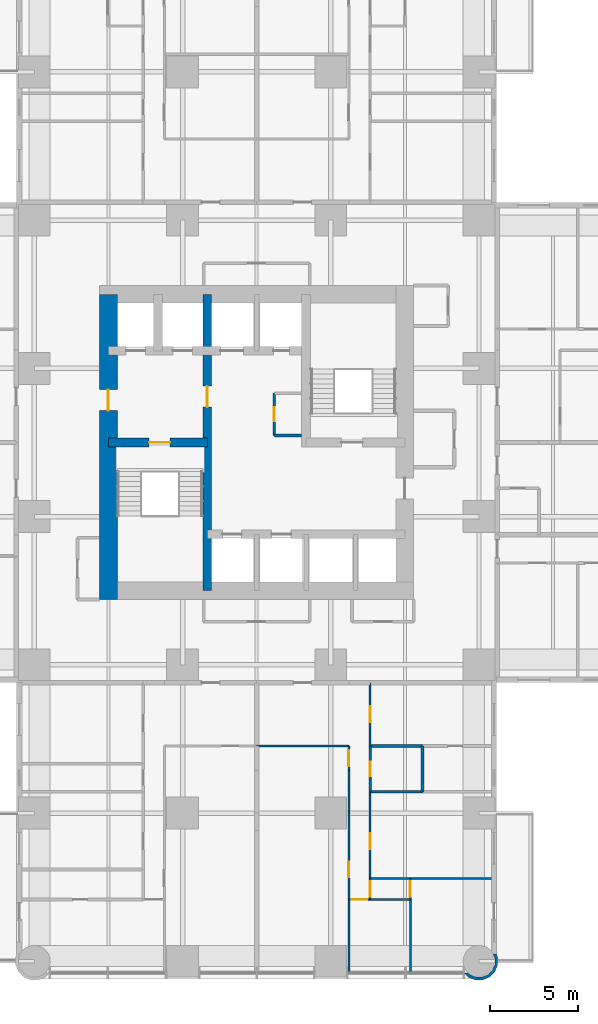
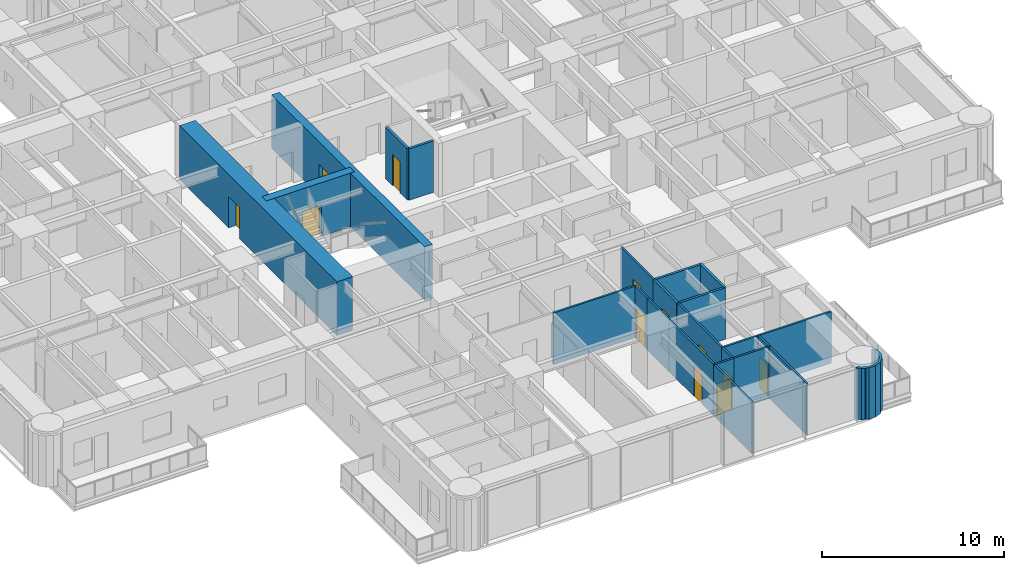
# One storey, part 9 of 17: 24 walls, 12 doors, 12 openings.
"""IFC4 building model written with IfcOpenShell, lengths in metres."""

from ifc_helpers import new_model, si_unit, direction, frame, frame_2d, origin, place, context, subcontext, project, spatial, polyline, rectangle, outline, extrude, material, layer, layer_set, type_object, element, fill, save


model = new_model("IFC4")

# Units and contexts
model_context = context("Model", 3, precision=1e-05, world=origin(), true_north=direction((0.0, 1.0)))
body_context = subcontext(model_context, "Body", "Model", "MODEL_VIEW")
ifc_project = project(units=[si_unit("LENGTHUNIT", "METRE"), si_unit("AREAUNIT", "SQUARE_METRE"), si_unit("VOLUMEUNIT", "CUBIC_METRE"), si_unit("PLANEANGLEUNIT", "RADIAN"), si_unit("MASSUNIT", "GRAM", prefix="KILO")], contexts=[model_context])

# Site, building, storey
site_placement = place(None, origin())
site = spatial("IfcSite", under=ifc_project, at=site_placement, CompositionType="ELEMENT")
building_placement = place(site_placement, origin())
building = spatial("IfcBuilding", under=site, at=building_placement, Name="Torre Alcanfor", CompositionType="ELEMENT")
storey_placement = place(building_placement, frame((0.0, 0.0, 52.5)))
storey = spatial("IfcBuildingStorey", under=building, at=storey_placement, Name="L12", CompositionType="ELEMENT", Elevation=52.5)

# Wall
ifc_material_1 = material(Name="Gypsum board on steel studs", Category="steel")
ifc_layer_1 = layer(ifc_material_1, 0.1201171875)
ifc_layer_set_1 = layer_set([ifc_layer_1], Name="Apartment partition 120")
wall_type_1 = type_object("IfcWallType", Name="Apartment partition 120", PredefinedType="PARTITIONING", material=ifc_layer_set_1)
wall_1_placement = place(storey_placement, frame((29.39990234375, 12.199951171875, 0.0), z_axis=(0.0, 0.0, 1.0), x_axis=(1.0, 0.0, 0.0)))
element("IfcWall", 1, at=wall_1_placement, inside=storey, type_object=wall_type_1, Name="Partition L12-S1-ZAG / L12-S1-LAUND", PredefinedType="PARTITIONING", context=body_context, shape_type="SweptSolid", body=[
    extrude(rectangle(XDim=5.22900390625, YDim=0.1201171875, at=frame_2d((2.614501953125, 0.0))), origin(), (0.0, 0.0, 1.0), 3.449951171875),
])

# Wall, opening, door
wall_2_placement = place(storey_placement, frame((34.62890625, 10.800048828125, 0.0), z_axis=(0.0, 0.0, 1.0), x_axis=(0.0, 1.0, 0.0)))
wall_2 = element("IfcWall", 2, at=wall_2_placement, inside=storey, type_object=wall_type_1, Name="Partition L12-S1-LAUND / L12-S1-HALL", PredefinedType="PARTITIONING", context=body_context, shape_type="SweptSolid", body=[
    extrude(rectangle(XDim=1.39990234375, YDim=0.1201171875, at=frame_2d((0.699951171875, 0.0))), origin(), (0.0, 0.0, 1.0), 3.449951171875),
])
opening_1_placement = place(wall_2_placement, frame((0.25, 0.0, 0.0)))
opening_1 = element("IfcOpeningElement", 3, at=opening_1_placement, cuts=wall_2, Name="Opening D-R1", PredefinedType="OPENING", context=body_context, shape_type="SweptSolid", body=[
    extrude(rectangle(XDim=0.89990234375, YDim=2.10009765625, at=frame_2d((0.449951171875, 1.050048828125))), frame((0.0, 0.070068359375, 0.0), z_axis=(0.0, -1.0, 0.0), x_axis=(1.0, 0.0, 0.0)), (0.0, 0.0, 1.0), 0.14013671875),
])
ifc_material_2 = material(Name="Timber", Category="wood")
door_type_1 = type_object("IfcDoorType", Name="Internal door 900x2100", OperationType="SINGLE_SWING_LEFT", PredefinedType="DOOR", material=ifc_material_2)
door_1_placement = place(opening_1_placement, origin())
door_1 = element("IfcDoor", 4, at=door_1_placement, inside=storey, type_object=door_type_1, Name="Door L12-S1 laund", OperationType="SINGLE_SWING_LEFT", OverallHeight=2.10009765625, OverallWidth=0.89990234375, PredefinedType="DOOR", context=body_context, shape_type="SweptSolid", body=[
    extrude(rectangle(XDim=0.89990234375, YDim=2.10009765625, at=frame_2d((0.449951171875, 1.050048828125))), frame((0.0, 0.02490234375, 0.0), z_axis=(0.0, -1.0, 0.0), x_axis=(1.0, 0.0, 0.0)), (0.0, 0.0, 1.0), 0.050048828125),
])
fill(opening_1, door_1)

# Wall
wall_3_placement = place(storey_placement, frame((34.62890625, 8.39990234375, 0.0), z_axis=(0.0, 0.0, 1.0), x_axis=(0.0, 1.0, 0.0)))
element("IfcWall", 5, at=wall_3_placement, inside=storey, type_object=wall_type_1, Name="Partition L12-S1-KITCHEN / L12-S1-HALL", PredefinedType="PARTITIONING", context=body_context, shape_type="SweptSolid", body=[
    extrude(rectangle(XDim=2.400146484375, YDim=0.1201171875, at=frame_2d((1.2001953125, 0.0))), origin(), (0.0, 0.0, 1.0), 3.449951171875),
])

# Wall, opening, door
wall_4_placement = place(storey_placement, frame((34.62890625, 3.5, 0.0), z_axis=(0.0, 0.0, 1.0), x_axis=(0.0, 1.0, 0.0)))
wall_4 = element("IfcWall", 6, at=wall_4_placement, inside=storey, type_object=wall_type_1, Name="Partition L12-S1-LIVING / L12-S1-HALL", PredefinedType="PARTITIONING", context=body_context, shape_type="SweptSolid", body=[
    extrude(rectangle(XDim=4.89990234375, YDim=0.1201171875, at=frame_2d((2.449951171875, 0.0))), origin(), (0.0, 0.0, 1.0), 3.449951171875),
])
opening_2_placement = place(wall_4_placement, frame((1.25, 0.0, 0.0)))
opening_2 = element("IfcOpeningElement", 7, at=opening_2_placement, cuts=wall_4, Name="Opening D-R1", PredefinedType="OPENING", context=body_context, shape_type="SweptSolid", body=[
    extrude(rectangle(XDim=0.89990234375, YDim=2.10009765625, at=frame_2d((0.449951171875, 1.050048828125))), frame((0.0, 0.070068359375, 0.0), z_axis=(0.0, -1.0, 0.0), x_axis=(1.0, 0.0, 0.0)), (0.0, 0.0, 1.0), 0.14013671875),
])
door_2_placement = place(opening_2_placement, origin())
door_2 = element("IfcDoor", 8, at=door_2_placement, inside=storey, type_object=door_type_1, Name="Door L12-S1 living", OperationType="SINGLE_SWING_RIGHT", OverallHeight=2.10009765625, OverallWidth=0.89990234375, PredefinedType="DOOR", context=body_context, shape_type="SweptSolid", body=[
    extrude(rectangle(XDim=0.89990234375, YDim=2.10009765625, at=frame_2d((0.449951171875, 1.050048828125))), frame((0.0, 0.02490234375, 0.0), z_axis=(0.0, -1.0, 0.0), x_axis=(1.0, 0.0, 0.0)), (0.0, 0.0, 1.0), 0.050048828125),
])
fill(opening_2, door_2)

# Wall
wall_5_placement = place(storey_placement, frame((34.62890625, -0.64990234375, 0.0), z_axis=(0.0, 0.0, 1.0), x_axis=(0.0, 1.0, 0.0)))
element("IfcWall", 9, at=wall_5_placement, inside=storey, type_object=wall_type_1, Name="Partition L12-S1-LIVING / L12-S1-BED2", PredefinedType="PARTITIONING", context=body_context, shape_type="SweptSolid", body=[
    extrude(rectangle(XDim=4.14990234375, YDim=0.1201171875, at=frame_2d((2.074951171875, 0.0))), origin(), (0.0, 0.0, 1.0), 3.449951171875),
])

# Wall, opening, door
wall_6_placement = place(storey_placement, frame((35.8291015625, 12.199951171875, 0.0), z_axis=(0.0, 0.0, 1.0), x_axis=(0.0, 1.0, 0.0)))
wall_6 = element("IfcWall", 10, at=wall_6_placement, inside=storey, type_object=wall_type_1, Name="Partition L12-S1-HALL / L12-S1-SERV", PredefinedType="PARTITIONING", context=body_context, shape_type="SweptSolid", body=[
    extrude(rectangle(XDim=3.574951171875, YDim=0.1201171875, at=frame_2d((1.78759765625, 0.0))), origin(), (0.0, 0.0, 1.0), 3.449951171875),
])
opening_3_placement = place(wall_6_placement, frame((1.35009765625, 0.0, 0.0)))
opening_3 = element("IfcOpeningElement", 11, at=opening_3_placement, cuts=wall_6, Name="Opening D-R1", PredefinedType="OPENING", context=body_context, shape_type="SweptSolid", body=[
    extrude(rectangle(XDim=0.89990234375, YDim=2.10009765625, at=frame_2d((0.449951171875, 1.050048828125))), frame((0.0, 0.070068359375, 0.0), z_axis=(0.0, -1.0, 0.0), x_axis=(1.0, 0.0, 0.0)), (0.0, 0.0, 1.0), 0.14013671875),
])
door_3_placement = place(opening_3_placement, frame((0.89990234375, 0.0, 0.0), z_axis=(0.0, 0.0, 1.0), x_axis=(-1.0, 0.0, 0.0)))
door_3 = element("IfcDoor", 12, at=door_3_placement, inside=storey, type_object=door_type_1, Name="Door L12-S1 serv", OperationType="SINGLE_SWING_LEFT", OverallHeight=2.10009765625, OverallWidth=0.89990234375, PredefinedType="DOOR", context=body_context, shape_type="SweptSolid", body=[
    extrude(rectangle(XDim=0.89990234375, YDim=2.10009765625, at=frame_2d((0.449951171875, 1.050048828125))), frame((0.0, 0.025146484375, 0.0), z_axis=(0.0, -1.0, 0.0), x_axis=(1.0, 0.0, 0.0)), (0.0, 0.0, 1.0), 0.050048828125),
])
fill(opening_3, door_3)

wall_7_placement = place(storey_placement, frame((35.8291015625, 4.699951171875, 0.0), z_axis=(0.0, 0.0, 1.0), x_axis=(0.0, 1.0, 0.0)))
wall_7 = element("IfcWall", 13, at=wall_7_placement, inside=storey, type_object=wall_type_1, Name="Partition L12-S1-HALL / L12-S1-BED3", PredefinedType="PARTITIONING", context=body_context, shape_type="SweptSolid", body=[
    extrude(rectangle(XDim=4.900146484375, YDim=0.1201171875, at=frame_2d((2.4501953125, 0.0))), origin(), (0.0, 0.0, 1.0), 3.449951171875),
])
opening_4_placement = place(wall_7_placement, frame((1.64990234375, 0.0, 0.0)))
opening_4 = element("IfcOpeningElement", 14, at=opening_4_placement, cuts=wall_7, Name="Opening D-R1", PredefinedType="OPENING", context=body_context, shape_type="SweptSolid", body=[
    extrude(rectangle(XDim=0.89990234375, YDim=2.10009765625, at=frame_2d((0.449951171875, 1.050048828125))), frame((0.0, 0.070068359375, 0.0), z_axis=(0.0, -1.0, 0.0), x_axis=(1.0, 0.0, 0.0)), (0.0, 0.0, 1.0), 0.14013671875),
])
door_4_placement = place(opening_4_placement, frame((0.89990234375, 0.0, 0.0), z_axis=(0.0, 0.0, 1.0), x_axis=(-1.0, 0.0, 0.0)))
door_4 = element("IfcDoor", 15, at=door_4_placement, inside=storey, type_object=door_type_1, Name="Door L12-S1 bed3", OperationType="SINGLE_SWING_RIGHT", OverallHeight=2.10009765625, OverallWidth=0.89990234375, PredefinedType="DOOR", context=body_context, shape_type="SweptSolid", body=[
    extrude(rectangle(XDim=0.89990234375, YDim=2.10009765625, at=frame_2d((0.449951171875, 1.050048828125))), frame((0.0, 0.025146484375, 0.0), z_axis=(0.0, -1.0, 0.0), x_axis=(1.0, 0.0, 0.0)), (0.0, 0.0, 1.0), 0.050048828125),
])
fill(opening_4, door_4)

wall_8_placement = place(storey_placement, frame((35.8291015625, 3.5, 0.0), z_axis=(0.0, 0.0, 1.0), x_axis=(0.0, 1.0, 0.0)))
wall_8 = element("IfcWall", 16, at=wall_8_placement, inside=storey, type_object=wall_type_1, Name="Partition L12-S1-HALL / L12-S1-VEST", PredefinedType="PARTITIONING", context=body_context, shape_type="SweptSolid", body=[
    extrude(rectangle(XDim=1.199951171875, YDim=0.1201171875, at=frame_2d((0.60009765625, 0.0))), origin(), (0.0, 0.0, 1.0), 3.449951171875),
])
opening_5_placement = place(wall_8_placement, frame((0.14990234375, 0.0, 0.0)))
opening_5 = element("IfcOpeningElement", 17, at=opening_5_placement, cuts=wall_8, Name="Opening D-R1", PredefinedType="OPENING", context=body_context, shape_type="SweptSolid", body=[
    extrude(rectangle(XDim=0.89990234375, YDim=2.10009765625, at=frame_2d((0.449951171875, 1.050048828125))), frame((0.0, 0.070068359375, 0.0), z_axis=(0.0, -1.0, 0.0), x_axis=(1.0, 0.0, 0.0)), (0.0, 0.0, 1.0), 0.14013671875),
])
door_5_placement = place(opening_5_placement, frame((0.89990234375, 0.0, 0.0), z_axis=(0.0, 0.0, 1.0), x_axis=(-1.0, 0.0, 0.0)))
door_5 = element("IfcDoor", 18, at=door_5_placement, inside=storey, type_object=door_type_1, Name="Door L12-S1 vest", OperationType="SINGLE_SWING_RIGHT", OverallHeight=2.10009765625, OverallWidth=0.89990234375, PredefinedType="DOOR", context=body_context, shape_type="SweptSolid", body=[
    extrude(rectangle(XDim=0.89990234375, YDim=2.10009765625, at=frame_2d((0.449951171875, 1.050048828125))), frame((0.0, 0.025146484375, 0.0), z_axis=(0.0, -1.0, 0.0), x_axis=(1.0, 0.0, 0.0)), (0.0, 0.0, 1.0), 0.050048828125),
])
fill(opening_5, door_5)

wall_9_placement = place(storey_placement, frame((34.62890625, 3.5, 0.0), z_axis=(0.0, 0.0, 1.0), x_axis=(1.0, 0.0, 0.0)))
wall_9 = element("IfcWall", 19, at=wall_9_placement, inside=storey, type_object=wall_type_1, Name="Partition L12-S1-HALL / L12-S1-BED2", PredefinedType="PARTITIONING", context=body_context, shape_type="SweptSolid", body=[
    extrude(rectangle(XDim=1.2001953125, YDim=0.1201171875, at=frame_2d((0.60009765625, 0.0))), origin(), (0.0, 0.0, 1.0), 3.449951171875),
])
opening_6_placement = place(wall_9_placement, frame((0.15087890625, 0.0, 0.0)))
opening_6 = element("IfcOpeningElement", 20, at=opening_6_placement, cuts=wall_9, Name="Opening D-R1", PredefinedType="OPENING", context=body_context, shape_type="SweptSolid", body=[
    extrude(rectangle(XDim=0.89990234375, YDim=2.10009765625, at=frame_2d((0.449951171875, 1.050048828125))), frame((0.0, 0.070068359375, 0.0), z_axis=(0.0, -1.0, 0.0), x_axis=(1.0, 0.0, 0.0)), (0.0, 0.0, 1.0), 0.14013671875),
])
door_6_placement = place(opening_6_placement, frame((0.89990234375, 0.0, 0.0), z_axis=(0.0, 0.0, 1.0), x_axis=(-1.0, 0.0, 0.0)))
door_6 = element("IfcDoor", 21, at=door_6_placement, inside=storey, type_object=door_type_1, Name="Door L12-S1 bed2", OperationType="SINGLE_SWING_RIGHT", OverallHeight=2.10009765625, OverallWidth=0.89990234375, PredefinedType="DOOR", context=body_context, shape_type="SweptSolid", body=[
    extrude(rectangle(XDim=0.89990234375, YDim=2.10009765625, at=frame_2d((0.449951171875, 1.050048828125))), frame((0.0, 0.025146484375, 0.0), z_axis=(0.0, -1.0, 0.0), x_axis=(1.0, 0.0, 0.0)), (0.0, 0.0, 1.0), 0.050048828125),
])
fill(opening_6, door_6)

# Walls
wall_10_placement = place(storey_placement, frame((35.8291015625, 4.699951171875, 0.0), z_axis=(0.0, 0.0, 1.0), x_axis=(1.0, 0.0, 0.0)))
element("IfcWall", 22, at=wall_10_placement, inside=storey, type_object=wall_type_1, Name="Partition L12-S1-BED3 / L12-S1-VEST", PredefinedType="PARTITIONING", context=body_context, shape_type="SweptSolid", body=[
    extrude(rectangle(XDim=2.284912109375, YDim=0.1201171875, at=frame_2d((1.142578125, 0.0))), origin(), (0.0, 0.0, 1.0), 3.449951171875),
])
wall_11_placement = place(storey_placement, frame((38.114013671875, 4.699951171875, 0.0), z_axis=(0.0, 0.0, 1.0), x_axis=(1.0, 0.0, 0.0)))
element("IfcWall", 23, at=wall_11_placement, inside=storey, type_object=wall_type_1, Name="Partition L12-S1-BED3 / L12-S1-MASTER", PredefinedType="PARTITIONING", context=body_context, shape_type="SweptSolid", body=[
    extrude(rectangle(XDim=4.5859375, YDim=0.1201171875, at=frame_2d((2.29296875, 0.0))), origin(), (0.0, 0.0, 1.0), 3.449951171875),
])
wall_12_placement = place(storey_placement, frame((35.8291015625, 3.5, 0.0), z_axis=(0.0, 0.0, 1.0), x_axis=(1.0, 0.0, 0.0)))
element("IfcWall", 24, at=wall_12_placement, inside=storey, type_object=wall_type_1, Name="Partition L12-S1-VEST / L12-S1-BED2", PredefinedType="PARTITIONING", context=body_context, shape_type="SweptSolid", body=[
    extrude(rectangle(XDim=2.284912109375, YDim=0.1201171875, at=frame_2d((1.142578125, 0.0))), origin(), (0.0, 0.0, 1.0), 3.449951171875),
])

# Wall, opening, door
wall_13_placement = place(storey_placement, frame((38.114013671875, 3.5, 0.0), z_axis=(0.0, 0.0, 1.0), x_axis=(0.0, 1.0, 0.0)))
wall_13 = element("IfcWall", 25, at=wall_13_placement, inside=storey, type_object=wall_type_1, Name="Partition L12-S1-VEST / L12-S1-MASTER", PredefinedType="PARTITIONING", context=body_context, shape_type="SweptSolid", body=[
    extrude(rectangle(XDim=1.199951171875, YDim=0.1201171875, at=frame_2d((0.60009765625, 0.0))), origin(), (0.0, 0.0, 1.0), 3.449951171875),
])
opening_7_placement = place(wall_13_placement, frame((0.14990234375, 0.0, 0.0)))
opening_7 = element("IfcOpeningElement", 26, at=opening_7_placement, cuts=wall_13, Name="Opening D-R1", PredefinedType="OPENING", context=body_context, shape_type="SweptSolid", body=[
    extrude(rectangle(XDim=0.89990234375, YDim=2.10009765625, at=frame_2d((0.449951171875, 1.050048828125))), frame((0.0, 0.070068359375, 0.0), z_axis=(0.0, -1.0, 0.0), x_axis=(1.0, 0.0, 0.0)), (0.0, 0.0, 1.0), 0.14013671875),
])
door_7_placement = place(opening_7_placement, origin())
door_7 = element("IfcDoor", 27, at=door_7_placement, inside=storey, type_object=door_type_1, Name="Door L12-S1 master", OperationType="SINGLE_SWING_LEFT", OverallHeight=2.10009765625, OverallWidth=0.89990234375, PredefinedType="DOOR", context=body_context, shape_type="SweptSolid", body=[
    extrude(rectangle(XDim=0.89990234375, YDim=2.10009765625, at=frame_2d((0.449951171875, 1.050048828125))), frame((0.0, 0.02490234375, 0.0), z_axis=(0.0, -1.0, 0.0), x_axis=(1.0, 0.0, 0.0)), (0.0, 0.0, 1.0), 0.050048828125),
])
fill(opening_7, door_7)

# Wall
wall_14_placement = place(storey_placement, frame((38.114013671875, -0.64990234375, 0.0), z_axis=(0.0, 0.0, 1.0), x_axis=(0.0, 1.0, 0.0)))
element("IfcWall", 28, at=wall_14_placement, inside=storey, type_object=wall_type_1, Name="Partition L12-S1-BED2 / L12-S1-MASTER", PredefinedType="PARTITIONING", context=body_context, shape_type="SweptSolid", body=[
    extrude(rectangle(XDim=4.14990234375, YDim=0.1201171875, at=frame_2d((2.074951171875, 0.0))), origin(), (0.0, 0.0, 1.0), 3.449951171875),
])

# Wall, opening, door
ifc_material_3 = material(Name="Concrete f'c 70 MPa", Category="concrete")
ifc_layer_2 = layer(ifc_material_3, 0.5)
ifc_layer_set_2 = layer_set([ifc_layer_2], Name="Core inner wall 500 f'c70")
wall_type_2 = type_object("IfcWallType", Name="Core inner wall 500 f'c70", PredefinedType="SHEAR", material=ifc_layer_set_2)
wall_15_placement = place(storey_placement, frame((26.60009765625, 21.0, 0.0), z_axis=(0.0, 0.0, 1.0), x_axis=(0.0, 1.0, 0.0)))
wall_15 = element("IfcWall", 29, at=wall_15_placement, inside=storey, type_object=wall_type_2, Name="Core wall X266 L12", PredefinedType="SHEAR", context=body_context, shape_type="SweptSolid", body=[
    extrude(rectangle(XDim=16.800048828125, YDim=0.5, at=frame_2d((8.39990234375, 0.0))), origin(), (0.0, 0.0, 1.0), 3.60009765625),
])
opening_8_placement = place(wall_15_placement, frame((10.39990234375, 0.0, 0.0)))
opening_8 = element("IfcOpeningElement", 30, at=opening_8_placement, cuts=wall_15, Name="Opening D-L1", PredefinedType="OPENING", context=body_context, shape_type="SweptSolid", body=[
    extrude(rectangle(XDim=1.199951171875, YDim=2.10009765625, at=frame_2d((0.60009765625, 1.050048828125))), frame((0.0, 0.260009765625, 0.0), z_axis=(0.0, -1.0, 0.0), x_axis=(1.0, 0.0, 0.0)), (0.0, 0.0, 1.0), 0.52001953125),
])
ifc_material_4 = material(Name="Galvanised steel sheet ASTM A653", Category="steel")
door_type_2 = type_object("IfcDoorType", Name="Lobby door FD120 1200x2100", OperationType="SINGLE_SWING_LEFT", PredefinedType="DOOR", material=ifc_material_4)
door_8_placement = place(opening_8_placement, origin())
door_8 = element("IfcDoor", 31, at=door_8_placement, inside=storey, type_object=door_type_2, Name="Lift lobby door L12", OperationType="SINGLE_SWING_LEFT", OverallHeight=2.10009765625, OverallWidth=1.199951171875, PredefinedType="DOOR", context=body_context, shape_type="SweptSolid", body=[
    extrude(rectangle(XDim=1.199951171875, YDim=2.10009765625, at=frame_2d((0.60009765625, 1.050048828125))), frame((0.0, 0.02490234375, 0.0), z_axis=(0.0, -1.0, 0.0), x_axis=(1.0, 0.0, 0.0)), (0.0, 0.0, 1.0), 0.050048828125),
])
fill(opening_8, door_8)

wall_16_placement = place(storey_placement, frame((21.0, 29.39990234375, 0.0), z_axis=(0.0, 0.0, 1.0), x_axis=(1.0, 0.0, 0.0)))
wall_16 = element("IfcWall", 32, at=wall_16_placement, inside=storey, type_object=wall_type_2, Name="Core wall Y294W L12", PredefinedType="SHEAR", context=body_context, shape_type="SweptSolid", body=[
    extrude(rectangle(XDim=5.60009765625, YDim=0.5, at=frame_2d((2.800048828125, 0.0))), origin(), (0.0, 0.0, 1.0), 3.60009765625),
])
opening_9_placement = place(wall_16_placement, frame((2.300048828125, 0.0, 0.0)))
opening_9 = element("IfcOpeningElement", 33, at=opening_9_placement, cuts=wall_16, Name="Opening D-S2", PredefinedType="OPENING", context=body_context, shape_type="SweptSolid", body=[
    extrude(rectangle(XDim=1.199951171875, YDim=2.10009765625, at=frame_2d((0.60009765625, 1.050048828125))), frame((0.0, 0.260009765625, 0.0), z_axis=(0.0, -1.0, 0.0), x_axis=(1.0, 0.0, 0.0)), (0.0, 0.0, 1.0), 0.52001953125),
])
ifc_material_5 = material(Name="Galvanised steel sheet ASTM A653", Category="steel")
door_type_3 = type_object("IfcDoorType", Name="Stair enclosure door FD120 1200x2100", OperationType="SINGLE_SWING_LEFT", PredefinedType="DOOR", material=ifc_material_5)
door_9_placement = place(opening_9_placement, frame((1.199951171875, 0.0, 0.0), z_axis=(0.0, 0.0, 1.0), x_axis=(-1.0, 0.0, 0.0)))
door_9 = element("IfcDoor", 34, at=door_9_placement, inside=storey, type_object=door_type_3, Name="Stair S1 door L12", OperationType="SINGLE_SWING_LEFT", OverallHeight=2.10009765625, OverallWidth=1.199951171875, PredefinedType="DOOR", context=body_context, shape_type="SweptSolid", body=[
    extrude(rectangle(XDim=1.199951171875, YDim=2.10009765625, at=frame_2d((0.599853515625, 1.050048828125))), frame((0.0, 0.025146484375, 0.0), z_axis=(0.0, -1.0, 0.0), x_axis=(1.0, 0.0, 0.0)), (0.0, 0.0, 1.0), 0.050048828125),
])
fill(opening_9, door_9)

ifc_material_6 = material(Name="Concrete f'c 70 MPa", Category="concrete")
ifc_layer_3 = layer(ifc_material_6, 1.0)
ifc_layer_set_3 = layer_set([ifc_layer_3], Name="Core wall 1000 f'c70")
wall_type_3 = type_object("IfcWallType", Name="Core wall 1000 f'c70", PredefinedType="SHEAR", material=ifc_layer_set_3)
wall_17_placement = place(storey_placement, frame((21.0, 37.800048828125, 0.0), z_axis=(0.0, 0.0, 1.0), x_axis=(0.0, -1.0, 0.0)))
wall_17 = element("IfcWall", 35, at=wall_17_placement, inside=storey, type_object=wall_type_3, Name="Core wall OUT-W L12", PredefinedType="SHEAR", context=body_context, shape_type="SweptSolid", body=[
    extrude(rectangle(XDim=17.300048828125, YDim=1.0, at=frame_2d((8.64990234375, 0.0))), origin(), (0.0, 0.0, 1.0), 3.60009765625),
])
opening_10_placement = place(wall_17_placement, frame((5.39990234375, 0.0, 0.0)))
opening_10 = element("IfcOpeningElement", 36, at=opening_10_placement, cuts=wall_17, Name="Opening D-L1", PredefinedType="OPENING", context=body_context, shape_type="SweptSolid", body=[
    extrude(rectangle(XDim=1.199951171875, YDim=2.10009765625, at=frame_2d((0.60009765625, 1.050048828125))), frame((0.0, 0.510009765625, 0.0), z_axis=(0.0, -1.0, 0.0), x_axis=(1.0, 0.0, 0.0)), (0.0, 0.0, 1.0), 1.02001953125),
])
door_10_placement = place(opening_10_placement, origin())
door_10 = element("IfcDoor", 37, at=door_10_placement, inside=storey, type_object=door_type_2, Name="Firefighting lobby door L12", OperationType="SINGLE_SWING_LEFT", OverallHeight=2.10009765625, OverallWidth=1.199951171875, PredefinedType="DOOR", context=body_context, shape_type="SweptSolid", body=[
    extrude(rectangle(XDim=1.199951171875, YDim=2.10009765625, at=frame_2d((0.60009765625, 1.050048828125))), frame((0.0, 0.02490234375, 0.0), z_axis=(0.0, -1.0, 0.0), x_axis=(1.0, 0.0, 0.0)), (0.0, 0.0, 1.0), 0.050048828125),
])
fill(opening_10, door_10)

# Wall
ifc_material_7 = material(Name="Concrete block masonry, hollow blocks NMX-C-404 9 MPa", Category="masonry")
ifc_layer_4 = layer(ifc_material_7, 0.14990234375)
ifc_layer_set_4 = layer_set([ifc_layer_4], Name="Residents' room partition 150")
wall_type_4 = type_object("IfcWallType", Name="Residents' room partition 150", PredefinedType="PARTITIONING", material=ifc_layer_set_4)
wall_18_placement = place(storey_placement, frame((31.949951171875, 29.800048828125, 0.0), z_axis=(0.0, 0.0, 1.0), x_axis=(-1.0, 0.0, 0.0)))
element("IfcWall", 38, at=wall_18_placement, inside=storey, type_object=wall_type_4, Name="Partition L12-LL / L12-CR1", PredefinedType="PARTITIONING", context=body_context, shape_type="SweptSolid", body=[
    extrude(rectangle(XDim=1.550048828125, YDim=0.14990234375, at=frame_2d((0.77490234375, 0.0))), origin(), (0.0, 0.0, 1.0), 3.449951171875),
])

# Wall, opening, door
wall_19_placement = place(storey_placement, frame((30.39990234375, 29.800048828125, 0.0), z_axis=(0.0, 0.0, 1.0), x_axis=(0.0, 1.0, 0.0)))
wall_19 = element("IfcWall", 39, at=wall_19_placement, inside=storey, type_object=wall_type_4, Name="Partition L12-LL / L12-CR1", PredefinedType="PARTITIONING", context=body_context, shape_type="SweptSolid", body=[
    extrude(rectangle(XDim=2.39990234375, YDim=0.14990234375, at=frame_2d((1.199951171875, 0.0))), origin(), (0.0, 0.0, 1.0), 3.449951171875),
])
opening_11_placement = place(wall_19_placement, frame((0.800048828125, 0.0, 0.0)))
opening_11 = element("IfcOpeningElement", 40, at=opening_11_placement, cuts=wall_19, Name="Opening D-R2", PredefinedType="OPENING", context=body_context, shape_type="SweptSolid", body=[
    extrude(rectangle(XDim=0.800048828125, YDim=2.10009765625, at=frame_2d((0.39990234375, 1.050048828125))), frame((0.0, 0.0849609375, 0.0), z_axis=(0.0, -1.0, 0.0), x_axis=(1.0, 0.0, 0.0)), (0.0, 0.0, 1.0), 0.169921875),
])
ifc_material_8 = material(Name="Timber", Category="wood")
door_type_4 = type_object("IfcDoorType", Name="Bathroom door 800x2100", OperationType="SINGLE_SWING_LEFT", PredefinedType="DOOR", material=ifc_material_8)
door_11_placement = place(opening_11_placement, frame((0.800048828125, 0.0, 0.0), z_axis=(0.0, 0.0, 1.0), x_axis=(-1.0, 0.0, 0.0)))
door_11 = element("IfcDoor", 41, at=door_11_placement, inside=storey, type_object=door_type_4, Name="Cleaners' store door L12", OperationType="SINGLE_SWING_RIGHT", OverallHeight=2.10009765625, OverallWidth=0.800048828125, PredefinedType="DOOR", context=body_context, shape_type="SweptSolid", body=[
    extrude(rectangle(XDim=0.800048828125, YDim=2.10009765625, at=frame_2d((0.400146484375, 1.050048828125))), frame((0.0, 0.025146484375, 0.0), z_axis=(0.0, -1.0, 0.0), x_axis=(1.0, 0.0, 0.0)), (0.0, 0.0, 1.0), 0.050048828125),
])
fill(opening_11, door_11)

# Wall
ifc_material_9 = material(Name="Limestone cladding", Category="masonry")
ifc_layer_5 = layer(ifc_material_9, 0.0400390625, Name="Facing")
ifc_material_10 = material(Name="Ventilated air cavity")
ifc_layer_6 = layer(ifc_material_10, 0.02001953125, ventilated=True, Name="Ventilated joint")
ifc_material_11 = material(Name="Mineral wool insulation", Category="insulation")
ifc_layer_7 = layer(ifc_material_11, 0.10009765625, Name="Insulation")
ifc_material_12 = material(Name="Concrete f'c 35 MPa", Category="concrete")
ifc_layer_8 = layer(ifc_material_12, 0.139892578125, Name="Backing")
ifc_layer_set_5 = layer_set([ifc_layer_5, ifc_layer_6, ifc_layer_7, ifc_layer_8], Name="Rounded corner pier stone-clad 300")
wall_type_5 = type_object("IfcWallType", Name="Rounded corner pier stone-clad 300", PredefinedType="SOLIDWALL", material=ifc_layer_set_5)
wall_20_placement = place(storey_placement, frame((41.23340608, -0.610519256, 0.0), z_axis=(0.0, 0.0, 1.0), x_axis=(0.377204953059, -0.926129809145, 0.0)))
element("IfcWall", 42, at=wall_20_placement, inside=storey, type_object=wall_type_5, Name="Corner pier L12 16", PredefinedType="SOLIDWALL", context=body_context, shape_type="SweptSolid", body=[
    extrude(outline(polyline([(0.31873169437185855, 1.8425336525024494), (-0.07152710704046505, 2.001482809968314), (-0.24009471588869835, 2.0005449414227563), (-0.26941358666453996, 2.017231322070639), (-0.37003424962124987, 1.840731870737274), (-0.10240281114565264, 1.842182010528029), (0.22952066537421467, 1.7069923447343507), (0.48468330510664415, 1.4551793700683648), (0.6237907271323827, 1.1248909220292227), (0.6256685839754508, 0.7664021208386822), (0.49047891818177247, 0.4344786443188148), (0.23866594351578668, 0.1793160045863853), (0.09016005264750862, 0.11695717207098313), (0.01086965602056237, -0.07772001681430692), (0.024436010646714988, -0.08324547999388505), (0.3295868985749782, 0.04527476829386376), (0.48015223740573765, 0.19747796194128653), (0.49902760591309464, 0.19268993376963664), (0.5075741737852856, 0.2253240824532252), (0.6260202259498713, 0.3452676153211709), (0.7849693834157356, 0.7355264167334946), (0.7824906971943995, 1.1572636358175066), (0.6187245413991658, 1.5461003251275562), (0.31873169437185855, 1.8425336525024494)])), origin(), (0.0, 0.0, 1.0), 3.449951171875),
])

# Wall, opening, door
ifc_material_13 = material(Name="Cement board on steel studs", Category="steel")
ifc_layer_9 = layer(ifc_material_13, 0.14990234375)
ifc_layer_set_6 = layer_set([ifc_layer_9], Name="Wet area partition 150")
wall_type_6 = type_object("IfcWallType", Name="Wet area partition 150", PredefinedType="PARTITIONING", material=ifc_layer_set_6)
wall_21_placement = place(storey_placement, frame((35.8291015625, 9.60009765625, 0.0), z_axis=(0.0, 0.0, 1.0), x_axis=(0.0, 1.0, 0.0)))
wall_21 = element("IfcWall", 43, at=wall_21_placement, inside=storey, type_object=wall_type_6, Name="Partition L12-S1-HALL / L12-S1-BATH1", PredefinedType="PARTITIONING", context=body_context, shape_type="SweptSolid", body=[
    extrude(rectangle(XDim=2.599853515625, YDim=0.14990234375, at=frame_2d((1.2998046875, 0.0))), origin(), (0.0, 0.0, 1.0), 3.449951171875),
])
opening_12_placement = place(wall_21_placement, frame((0.89990234375, 0.0, 0.0)))
opening_12 = element("IfcOpeningElement", 44, at=opening_12_placement, cuts=wall_21, Name="Opening D-R2", PredefinedType="OPENING", context=body_context, shape_type="SweptSolid", body=[
    extrude(rectangle(XDim=0.800048828125, YDim=2.10009765625, at=frame_2d((0.39990234375, 1.050048828125))), frame((0.0, 0.0849609375, 0.0), z_axis=(0.0, -1.0, 0.0), x_axis=(1.0, 0.0, 0.0)), (0.0, 0.0, 1.0), 0.169921875),
])
door_12_placement = place(opening_12_placement, frame((0.800048828125, 0.0, 0.0), z_axis=(0.0, 0.0, 1.0), x_axis=(-1.0, 0.0, 0.0)))
door_12 = element("IfcDoor", 45, at=door_12_placement, inside=storey, type_object=door_type_4, Name="Door L12-S1 bath1", OperationType="SINGLE_SWING_RIGHT", OverallHeight=2.10009765625, OverallWidth=0.800048828125, PredefinedType="DOOR", context=body_context, shape_type="SweptSolid", body=[
    extrude(rectangle(XDim=0.800048828125, YDim=2.10009765625, at=frame_2d((0.400146484375, 1.050048828125))), frame((0.0, 0.025146484375, 0.0), z_axis=(0.0, -1.0, 0.0), x_axis=(1.0, 0.0, 0.0)), (0.0, 0.0, 1.0), 0.050048828125),
])
fill(opening_12, door_12)

# Walls
wall_22_placement = place(storey_placement, frame((35.8291015625, 12.199951171875, 0.0), z_axis=(0.0, 0.0, 1.0), x_axis=(1.0, 0.0, 0.0)))
element("IfcWall", 46, at=wall_22_placement, inside=storey, type_object=wall_type_6, Name="Partition L12-S1-SERV / L12-S1-BATH1", PredefinedType="PARTITIONING", context=body_context, shape_type="SweptSolid", body=[
    extrude(rectangle(XDim=2.970947265625, YDim=0.14990234375, at=frame_2d((1.4853515625, 0.0))), origin(), (0.0, 0.0, 1.0), 3.449951171875),
])
wall_23_placement = place(storey_placement, frame((38.800048828125, 9.60009765625, 0.0), z_axis=(0.0, 0.0, 1.0), x_axis=(0.0, 1.0, 0.0)))
element("IfcWall", 47, at=wall_23_placement, inside=storey, type_object=wall_type_6, Name="Partition L12-S1-BATH1 / L12-S1-SBATH", PredefinedType="PARTITIONING", context=body_context, shape_type="SweptSolid", body=[
    extrude(rectangle(XDim=2.599853515625, YDim=0.14990234375, at=frame_2d((1.2998046875, 0.0))), origin(), (0.0, 0.0, 1.0), 3.449951171875),
])
wall_24_placement = place(storey_placement, frame((35.8291015625, 9.60009765625, 0.0), z_axis=(0.0, 0.0, 1.0), x_axis=(1.0, 0.0, 0.0)))
element("IfcWall", 48, at=wall_24_placement, inside=storey, type_object=wall_type_6, Name="Partition L12-S1-BATH1 / L12-S1-BED3", PredefinedType="PARTITIONING", context=body_context, shape_type="SweptSolid", body=[
    extrude(rectangle(XDim=2.970947265625, YDim=0.14990234375, at=frame_2d((1.4853515625, 0.0))), origin(), (0.0, 0.0, 1.0), 3.449951171875),
])

save(model, "model.ifc")
